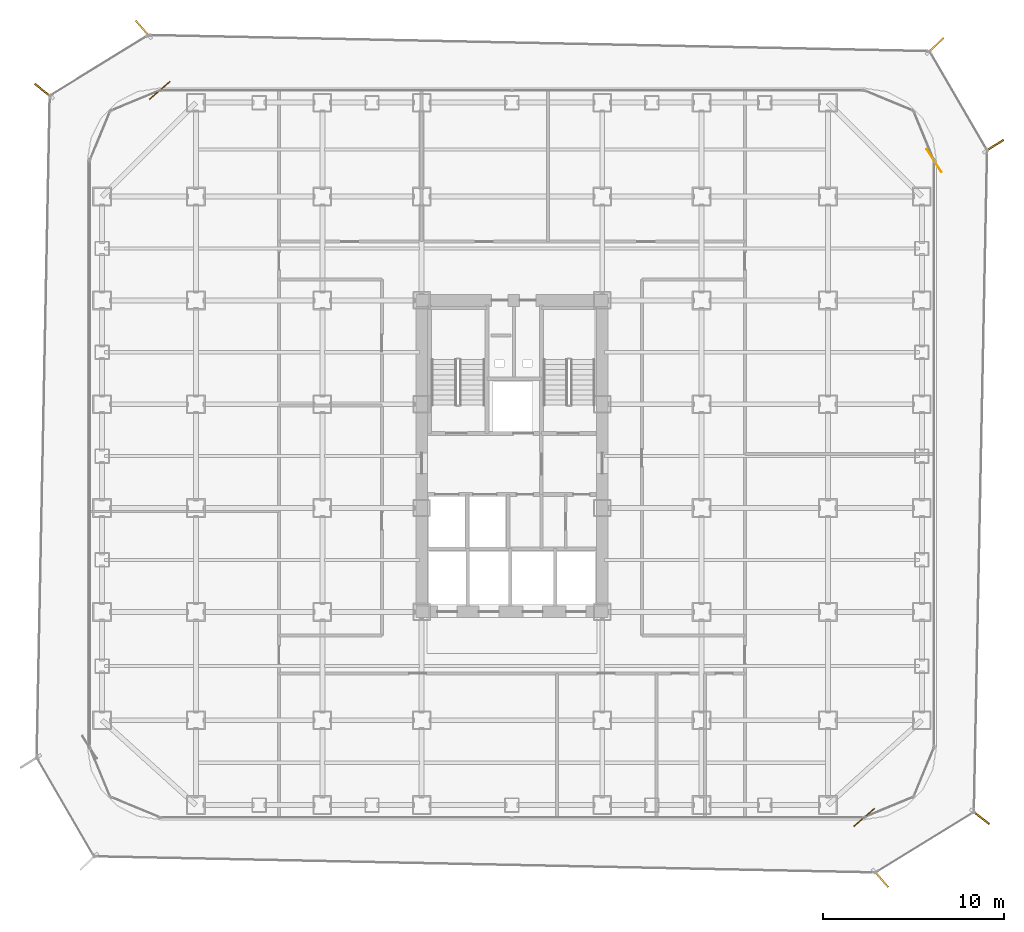
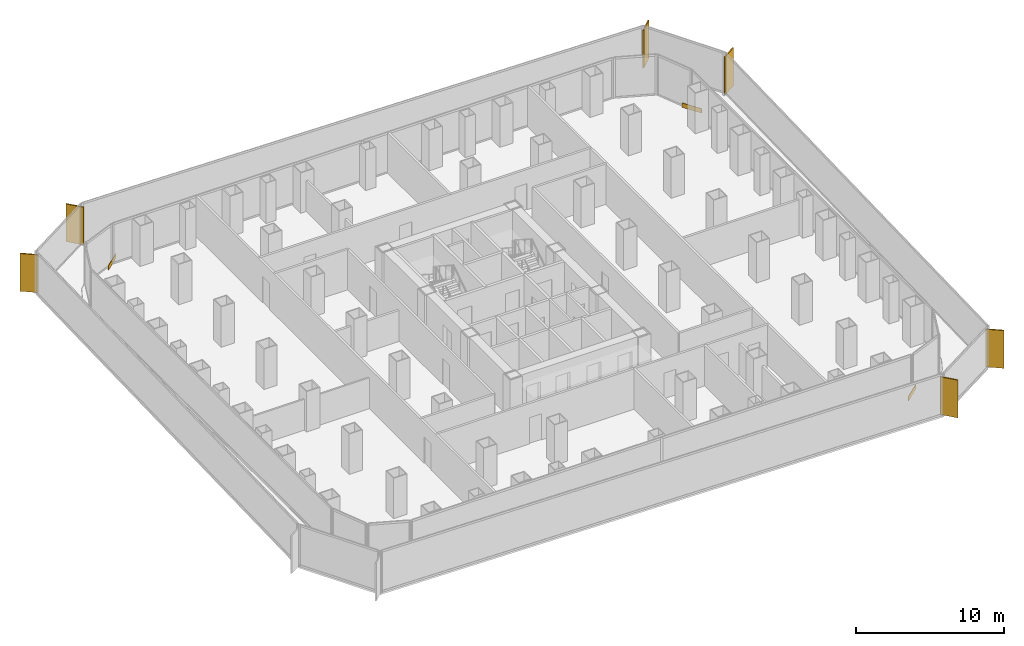
# One storey, part 21 of 21: 6 shading devices, 3 coverings.
"""IFC4 building model written with IfcOpenShell, lengths in metres."""

from ifc_helpers import new_model, si_unit, direction, frame, origin, origin_2d, place, context, subcontext, project, spatial, rectangle, extrude, source, transform, mapped, material, layer, layer_set, type_object, element, save


model = new_model("IFC4")

# Units and contexts
model_context = context("Model", 3, precision=1e-05, world=origin(), true_north=direction((0.0, 1.0)))
body_context = subcontext(model_context, "Body", "Model", "MODEL_VIEW")
ifc_project = project(units=[si_unit("LENGTHUNIT", "METRE"), si_unit("AREAUNIT", "SQUARE_METRE"), si_unit("VOLUMEUNIT", "CUBIC_METRE"), si_unit("PLANEANGLEUNIT", "RADIAN"), si_unit("MASSUNIT", "GRAM", prefix="KILO")], contexts=[model_context])

# Site, building, storey
site_placement = place(None, origin())
site = spatial("IfcSite", under=ifc_project, at=site_placement, CompositionType="ELEMENT")
building_placement = place(site_placement, origin())
building = spatial("IfcBuilding", under=site, at=building_placement, Name="Kolveth Station Tower", CompositionType="ELEMENT")
storey_placement = place(building_placement, frame((0.0, 0.0, 44.10009765625)))
storey = spatial("IfcBuildingStorey", under=building, at=storey_placement, Name="L11", CompositionType="ELEMENT", Elevation=44.10009765625)

# Shading devices
ifc_material_1 = material(Name="Black anodized aluminium 6063-T6", Category="aluminium")
shading_device_type = type_object("IfcShadingDeviceType", Name="FIN_VF1", PredefinedType="USERDEFINED", material=ifc_material_1)
shared_shape_1 = source(origin(), body_context, "Body", "SweptSolid", [
    extrude(rectangle(XDim=1.25, YDim=0.090087890625, at=origin_2d()), origin(), (0.0, 0.0, 1.0), 3.10009765625),
])
for number, where, z_axis, x_axis, name in (
    (1, (43.931884765625, -3.277099609375, -0.000244140625), (0.0, 0.0, 1.0), (0.655663774065, -0.755052988457, 0.0), "L11 Dark-Aluminium Solar Fin 1"),
    (2, (49.444091796875, 0.138916015625, -0.000244140625), (0.0, 0.0, 1.0), (0.790368909154, -0.612631200187, 0.0), "L11 Dark-Aluminium Solar Fin 2"),
    (3, (50.199951171875, 37.305908203125, -0.000244140625), (0.0, 0.0, 1.0), (0.842734381236, 0.53832960413, 0.0), "L11 Dark-Aluminium Solar Fin 3"),
    (4, (46.9580078125, 42.85791015625, -0.000244140625), (0.0, 0.0, 1.0), (0.720066850328, 0.69390469883, 0.0), "L11 Dark-Aluminium Solar Fin 4"),
    (5, (3.068115234375, 43.777099609375, -0.000244140625), (0.0, 0.0, 1.0), (-0.655663774065, 0.755052988457, 0.0), "L11 Dark-Aluminium Solar Fin 5"),
    (6, (-2.444091796875, 40.361083984375, -0.000244140625), (0.0, 0.0, 1.0), (-0.790368909154, 0.612631200187, 0.0), "L11 Dark-Aluminium Solar Fin 6"),
):
    element("IfcShadingDevice", number, at=place(storey_placement, frame(where, z_axis=z_axis, x_axis=x_axis)), inside=storey, type_object=shading_device_type, Name=name, ObjectType="FIN", PredefinedType="USERDEFINED", context=body_context, shape_type="MappedRepresentation", body=[
        mapped(shared_shape_1, transform((0.0, 0.0, 0.0), x_axis=(1.0, 0.0, 0.0), y_axis=(0.0, 1.0, 0.0), z_axis=(0.0, 0.0, 1.0), scale=1.0)),
    ])

# Coverings
ifc_material_2 = material(Name="Charcoal anodized aluminium spandrel cladding", Category="aluminium")
ifc_layer = layer(ifc_material_2, 0.044921875)
ifc_layer_set = layer_set([ifc_layer], Name="Charcoal anodized aluminium spandrel cladding")
covering_type = type_object("IfcCoveringType", Name="Clad_CD1", PredefinedType="CLADDING", material=ifc_layer_set)
shared_shape_2 = source(origin(), body_context, "Body", "SweptSolid", [
    extrude(rectangle(XDim=1.5, YDim=0.044921875, at=origin_2d()), origin(), (0.0, 0.0, 1.0), 0.360107421875),
])
for number, where, z_axis, x_axis, name in (
    (7, (43.0, 0.1201171875, 0.0), (0.0, 0.0, 1.0), (0.755052988457, 0.655663774065, 0.0), "L11 Spandrel Edge Cladding 1"),
    (8, (46.8798828125, 36.5, 0.0), (0.0, 0.0, 1.0), (-0.53832960413, 0.842734381236, 0.0), "L11 Spandrel Edge Cladding 3"),
    (9, (4.0, 40.3798828125, 0.0), (0.0, 0.0, 1.0), (-0.755052988457, -0.655663774065, 0.0), "L11 Spandrel Edge Cladding 5"),
):
    element("IfcCovering", number, at=place(storey_placement, frame(where, z_axis=z_axis, x_axis=x_axis)), inside=storey, type_object=covering_type, Name=name, PredefinedType="CLADDING", context=body_context, shape_type="MappedRepresentation", body=[
        mapped(shared_shape_2, transform((0.0, 0.0, 0.0), x_axis=(1.0, 0.0, 0.0), y_axis=(0.0, 1.0, 0.0), z_axis=(0.0, 0.0, 1.0), scale=1.0)),
    ])

save(model, "model.ifc")
